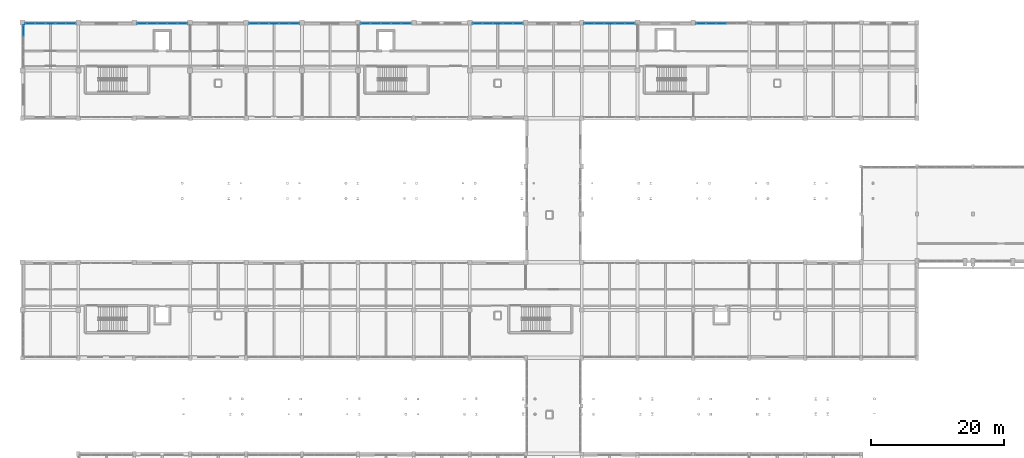
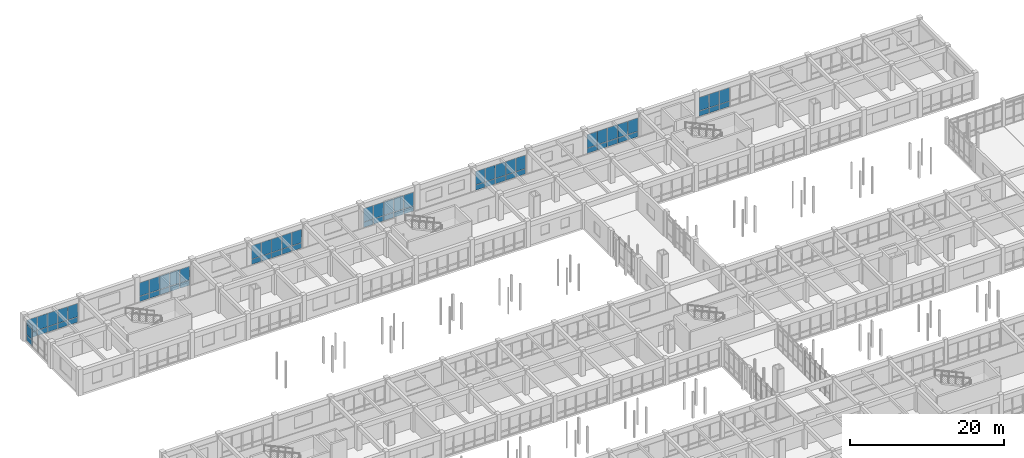
# One storey, part 122 of 147: 69 plates, 8 elements without a shape of their own.
"""IFC4 building model written with IfcOpenShell, lengths in metres."""

from ifc_helpers import new_model, si_unit, direction, frame, origin, origin_2d, place, context, subcontext, project, spatial, rectangle, extrude, material, layer, layer_set, type_object, element, aggregate, save


model = new_model("IFC4")

# Units and contexts
model_context = context("Model", 3, precision=1e-05, world=origin(), true_north=direction((0.0, 1.0)))
body_context = subcontext(model_context, "Body", "Model", "MODEL_VIEW")
ifc_project = project(units=[si_unit("LENGTHUNIT", "METRE"), si_unit("AREAUNIT", "SQUARE_METRE"), si_unit("VOLUMEUNIT", "CUBIC_METRE"), si_unit("PLANEANGLEUNIT", "RADIAN"), si_unit("MASSUNIT", "GRAM", prefix="KILO")], contexts=[model_context])

# Site, building, storey
site_placement = place(None, origin())
site = spatial("IfcSite", under=ifc_project, at=site_placement, CompositionType="ELEMENT")
building_placement = place(site_placement, origin())
building = spatial("IfcBuilding", under=site, at=building_placement, Name="Malvenik Polytechnic", CompositionType="ELEMENT")
storey_placement = place(building_placement, frame((0.0, 0.0, 5.10009765625)))
storey = spatial("IfcBuildingStorey", under=building, at=storey_placement, Name="L01", CompositionType="ELEMENT", Elevation=5.10009765625)

# Curtain wall, plates
ifc_material_1 = material(Name="Anodised aluminium 6060-T6", Category="aluminium")
curtain_wall_type_1 = type_object("IfcCurtainWallType", Name="ARC-CW-CW-05", PredefinedType="NOTDEFINED", material=ifc_material_1)
curtain_wall_1_placement = place(storey_placement, origin())
curtain_wall_1 = element("IfcCurtainWall", 1, at=curtain_wall_1_placement, inside=storey, type_object=curtain_wall_type_1, Name="Unitised Curtain Wall CW-05 L01 #44", PredefinedType="NOTDEFINED")
ifc_material_2 = material(Name="Insulated low-E double glazing 8-16-8", Category="glass")
ifc_layer_1 = layer(ifc_material_2, 0.028076171875)
ifc_layer_set_1 = layer_set([ifc_layer_1], Name="Insulated low-E double glazing 8-16-8")
plate_type_1 = type_object("IfcPlateType", Name="ARC-CWP-CP-GLZ28", PredefinedType="CURTAIN_PANEL", material=ifc_layer_set_1)
plate_1_placement = place(storey_placement, frame((0.169921875, 128.4052734375, 0.97998046875), z_axis=(0.0, 0.0, 1.0), x_axis=(0.0, 1.0, 0.0)))
plate_1 = element("IfcPlate", 2, at=plate_1_placement, type_object=plate_type_1, Name="CW-05 panel 4.2", PredefinedType="CURTAIN_PANEL", context=body_context, shape_type="SweptSolid", body=[
    extrude(rectangle(XDim=1.5234375, YDim=0.028076171875, at=origin_2d()), origin(), (0.0, 0.0, 1.0), 1.64990234375),
])
plate_2_placement = place(storey_placement, frame((0.169921875, 128.4052734375, 2.68994140625), z_axis=(0.0, 0.0, 1.0), x_axis=(0.0, 1.0, 0.0)))
plate_2 = element("IfcPlate", 3, at=plate_2_placement, type_object=plate_type_1, Name="CW-05 panel 4.3", PredefinedType="CURTAIN_PANEL", context=body_context, shape_type="SweptSolid", body=[
    extrude(rectangle(XDim=1.5234375, YDim=0.028076171875, at=origin_2d()), origin(), (0.0, 0.0, 1.0), 0.56005859375),
])

curtain_wall_type_2 = type_object("IfcCurtainWallType", Name="ARC-CW-CW-02", PredefinedType="NOTDEFINED", material=ifc_material_1)
curtain_wall_2_placement = place(storey_placement, origin())
curtain_wall_2 = element("IfcCurtainWall", 4, at=curtain_wall_2_placement, inside=storey, type_object=curtain_wall_type_2, Name="Unitised Curtain Wall CW-02 L01 #45", PredefinedType="NOTDEFINED")
plate_3_placement = place(storey_placement, frame((1.1533203125, 129.429931640625, 0.929931640625), z_axis=(0.0, 0.0, 1.0), x_axis=(1.0, 0.0, 0.0)))
plate_3 = element("IfcPlate", 5, at=plate_3_placement, type_object=plate_type_1, Name="CW-02 panel 1.2", PredefinedType="CURTAIN_PANEL", context=body_context, shape_type="SweptSolid", body=[
    extrude(rectangle(XDim=1.44091796875, YDim=0.028076171875, at=origin_2d()), origin(), (0.0, 0.0, 1.0), 2.1201171875),
])
plate_4_placement = place(storey_placement, frame((2.669189453125, 129.429931640625, 0.929931640625), z_axis=(0.0, 0.0, 1.0), x_axis=(1.0, 0.0, 0.0)))
plate_4 = element("IfcPlate", 6, at=plate_4_placement, type_object=plate_type_1, Name="CW-02 panel 2.2", PredefinedType="CURTAIN_PANEL", context=body_context, shape_type="SweptSolid", body=[
    extrude(rectangle(XDim=1.470703125, YDim=0.028076171875, at=origin_2d()), origin(), (0.0, 0.0, 1.0), 2.1201171875),
])
plate_5_placement = place(storey_placement, frame((4.199951171875, 129.429931640625, 0.929931640625), z_axis=(0.0, 0.0, 1.0), x_axis=(1.0, 0.0, 0.0)))
plate_5 = element("IfcPlate", 7, at=plate_5_placement, type_object=plate_type_1, Name="CW-02 panel 3.2", PredefinedType="CURTAIN_PANEL", context=body_context, shape_type="SweptSolid", body=[
    extrude(rectangle(XDim=1.470703125, YDim=0.028076171875, at=origin_2d()), origin(), (0.0, 0.0, 1.0), 2.1201171875),
])
plate_6_placement = place(storey_placement, frame((5.730712890625, 129.429931640625, 0.929931640625), z_axis=(0.0, 0.0, 1.0), x_axis=(1.0, 0.0, 0.0)))
plate_6 = element("IfcPlate", 8, at=plate_6_placement, type_object=plate_type_1, Name="CW-02 panel 4.2", PredefinedType="CURTAIN_PANEL", context=body_context, shape_type="SweptSolid", body=[
    extrude(rectangle(XDim=1.470703125, YDim=0.028076171875, at=origin_2d()), origin(), (0.0, 0.0, 1.0), 2.1201171875),
])
plate_7_placement = place(storey_placement, frame((7.24658203125, 129.429931640625, 0.929931640625), z_axis=(0.0, 0.0, 1.0), x_axis=(1.0, 0.0, 0.0)))
plate_7 = element("IfcPlate", 9, at=plate_7_placement, type_object=plate_type_1, Name="CW-02 panel 5.2", PredefinedType="CURTAIN_PANEL", context=body_context, shape_type="SweptSolid", body=[
    extrude(rectangle(XDim=1.44091796875, YDim=0.028076171875, at=origin_2d()), origin(), (0.0, 0.0, 1.0), 2.1201171875),
])

curtain_wall_3_placement = place(storey_placement, origin())
curtain_wall_3 = element("IfcCurtainWall", 10, at=curtain_wall_3_placement, inside=storey, type_object=curtain_wall_type_2, Name="Unitised Curtain Wall CW-02 L01 #46", PredefinedType="NOTDEFINED")
plate_8_placement = place(storey_placement, frame((17.953369140625, 129.429931640625, 0.929931640625), z_axis=(0.0, 0.0, 1.0), x_axis=(1.0, 0.0, 0.0)))
plate_8 = element("IfcPlate", 11, at=plate_8_placement, type_object=plate_type_1, Name="CW-02 panel 1.2", PredefinedType="CURTAIN_PANEL", context=body_context, shape_type="SweptSolid", body=[
    extrude(rectangle(XDim=1.44091796875, YDim=0.028076171875, at=origin_2d()), origin(), (0.0, 0.0, 1.0), 2.1201171875),
])
plate_9_placement = place(storey_placement, frame((19.46923828125, 129.429931640625, 0.929931640625), z_axis=(0.0, 0.0, 1.0), x_axis=(1.0, 0.0, 0.0)))
plate_9 = element("IfcPlate", 12, at=plate_9_placement, type_object=plate_type_1, Name="CW-02 panel 2.2", PredefinedType="CURTAIN_PANEL", context=body_context, shape_type="SweptSolid", body=[
    extrude(rectangle(XDim=1.470703125, YDim=0.028076171875, at=origin_2d()), origin(), (0.0, 0.0, 1.0), 2.1201171875),
])
plate_10_placement = place(storey_placement, frame((21.0, 129.429931640625, 0.929931640625), z_axis=(0.0, 0.0, 1.0), x_axis=(1.0, 0.0, 0.0)))
plate_10 = element("IfcPlate", 13, at=plate_10_placement, type_object=plate_type_1, Name="CW-02 panel 3.2", PredefinedType="CURTAIN_PANEL", context=body_context, shape_type="SweptSolid", body=[
    extrude(rectangle(XDim=1.470703125, YDim=0.028076171875, at=origin_2d()), origin(), (0.0, 0.0, 1.0), 2.1201171875),
])
plate_11_placement = place(storey_placement, frame((22.53076171875, 129.429931640625, 0.929931640625), z_axis=(0.0, 0.0, 1.0), x_axis=(1.0, 0.0, 0.0)))
plate_11 = element("IfcPlate", 14, at=plate_11_placement, type_object=plate_type_1, Name="CW-02 panel 4.2", PredefinedType="CURTAIN_PANEL", context=body_context, shape_type="SweptSolid", body=[
    extrude(rectangle(XDim=1.470703125, YDim=0.028076171875, at=origin_2d()), origin(), (0.0, 0.0, 1.0), 2.1201171875),
])
plate_12_placement = place(storey_placement, frame((24.046630859375, 129.429931640625, 0.929931640625), z_axis=(0.0, 0.0, 1.0), x_axis=(1.0, 0.0, 0.0)))
plate_12 = element("IfcPlate", 15, at=plate_12_placement, type_object=plate_type_1, Name="CW-02 panel 5.2", PredefinedType="CURTAIN_PANEL", context=body_context, shape_type="SweptSolid", body=[
    extrude(rectangle(XDim=1.44091796875, YDim=0.028076171875, at=origin_2d()), origin(), (0.0, 0.0, 1.0), 2.1201171875),
])

curtain_wall_4_placement = place(storey_placement, origin())
curtain_wall_4 = element("IfcCurtainWall", 16, at=curtain_wall_4_placement, inside=storey, type_object=curtain_wall_type_2, Name="Unitised Curtain Wall CW-02 L01 #47", PredefinedType="NOTDEFINED")
plate_13_placement = place(storey_placement, frame((34.75341796875, 129.429931640625, 0.929931640625), z_axis=(0.0, 0.0, 1.0), x_axis=(1.0, 0.0, 0.0)))
plate_13 = element("IfcPlate", 17, at=plate_13_placement, type_object=plate_type_1, Name="CW-02 panel 1.2", PredefinedType="CURTAIN_PANEL", context=body_context, shape_type="SweptSolid", body=[
    extrude(rectangle(XDim=1.44091796875, YDim=0.028076171875, at=origin_2d()), origin(), (0.0, 0.0, 1.0), 2.1201171875),
])
plate_14_placement = place(storey_placement, frame((36.269287109375, 129.429931640625, 0.929931640625), z_axis=(0.0, 0.0, 1.0), x_axis=(1.0, 0.0, 0.0)))
plate_14 = element("IfcPlate", 18, at=plate_14_placement, type_object=plate_type_1, Name="CW-02 panel 2.2", PredefinedType="CURTAIN_PANEL", context=body_context, shape_type="SweptSolid", body=[
    extrude(rectangle(XDim=1.470703125, YDim=0.028076171875, at=origin_2d()), origin(), (0.0, 0.0, 1.0), 2.1201171875),
])
plate_15_placement = place(storey_placement, frame((37.800048828125, 129.429931640625, 0.929931640625), z_axis=(0.0, 0.0, 1.0), x_axis=(1.0, 0.0, 0.0)))
plate_15 = element("IfcPlate", 19, at=plate_15_placement, type_object=plate_type_1, Name="CW-02 panel 3.2", PredefinedType="CURTAIN_PANEL", context=body_context, shape_type="SweptSolid", body=[
    extrude(rectangle(XDim=1.470703125, YDim=0.028076171875, at=origin_2d()), origin(), (0.0, 0.0, 1.0), 2.1201171875),
])
plate_16_placement = place(storey_placement, frame((39.330810546875, 129.429931640625, 0.929931640625), z_axis=(0.0, 0.0, 1.0), x_axis=(1.0, 0.0, 0.0)))
plate_16 = element("IfcPlate", 20, at=plate_16_placement, type_object=plate_type_1, Name="CW-02 panel 4.2", PredefinedType="CURTAIN_PANEL", context=body_context, shape_type="SweptSolid", body=[
    extrude(rectangle(XDim=1.470703125, YDim=0.028076171875, at=origin_2d()), origin(), (0.0, 0.0, 1.0), 2.1201171875),
])
plate_17_placement = place(storey_placement, frame((40.8466796875, 129.429931640625, 0.929931640625), z_axis=(0.0, 0.0, 1.0), x_axis=(1.0, 0.0, 0.0)))
plate_17 = element("IfcPlate", 21, at=plate_17_placement, type_object=plate_type_1, Name="CW-02 panel 5.2", PredefinedType="CURTAIN_PANEL", context=body_context, shape_type="SweptSolid", body=[
    extrude(rectangle(XDim=1.44091796875, YDim=0.028076171875, at=origin_2d()), origin(), (0.0, 0.0, 1.0), 2.1201171875),
])

curtain_wall_5_placement = place(storey_placement, origin())
curtain_wall_5 = element("IfcCurtainWall", 22, at=curtain_wall_5_placement, inside=storey, type_object=curtain_wall_type_2, Name="Unitised Curtain Wall CW-02 L01 #48", PredefinedType="NOTDEFINED")
plate_18_placement = place(storey_placement, frame((51.553466796875, 129.429931640625, 0.929931640625), z_axis=(0.0, 0.0, 1.0), x_axis=(1.0, 0.0, 0.0)))
plate_18 = element("IfcPlate", 23, at=plate_18_placement, type_object=plate_type_1, Name="CW-02 panel 1.2", PredefinedType="CURTAIN_PANEL", context=body_context, shape_type="SweptSolid", body=[
    extrude(rectangle(XDim=1.44091796875, YDim=0.028076171875, at=origin_2d()), origin(), (0.0, 0.0, 1.0), 2.1201171875),
])
plate_19_placement = place(storey_placement, frame((53.069091796875, 129.429931640625, 0.929931640625), z_axis=(0.0, 0.0, 1.0), x_axis=(1.0, 0.0, 0.0)))
plate_19 = element("IfcPlate", 24, at=plate_19_placement, type_object=plate_type_1, Name="CW-02 panel 2.2", PredefinedType="CURTAIN_PANEL", context=body_context, shape_type="SweptSolid", body=[
    extrude(rectangle(XDim=1.470703125, YDim=0.028076171875, at=origin_2d()), origin(), (0.0, 0.0, 1.0), 2.1201171875),
])
plate_20_placement = place(storey_placement, frame((54.60009765625, 129.429931640625, 0.929931640625), z_axis=(0.0, 0.0, 1.0), x_axis=(1.0, 0.0, 0.0)))
plate_20 = element("IfcPlate", 25, at=plate_20_placement, type_object=plate_type_1, Name="CW-02 panel 3.2", PredefinedType="CURTAIN_PANEL", context=body_context, shape_type="SweptSolid", body=[
    extrude(rectangle(XDim=1.470703125, YDim=0.028076171875, at=origin_2d()), origin(), (0.0, 0.0, 1.0), 2.1201171875),
])
plate_21_placement = place(storey_placement, frame((56.130859375, 129.429931640625, 0.929931640625), z_axis=(0.0, 0.0, 1.0), x_axis=(1.0, 0.0, 0.0)))
plate_21 = element("IfcPlate", 26, at=plate_21_placement, type_object=plate_type_1, Name="CW-02 panel 4.2", PredefinedType="CURTAIN_PANEL", context=body_context, shape_type="SweptSolid", body=[
    extrude(rectangle(XDim=1.470703125, YDim=0.028076171875, at=origin_2d()), origin(), (0.0, 0.0, 1.0), 2.1201171875),
])
plate_22_placement = place(storey_placement, frame((57.646484375, 129.429931640625, 0.929931640625), z_axis=(0.0, 0.0, 1.0), x_axis=(1.0, 0.0, 0.0)))
plate_22 = element("IfcPlate", 27, at=plate_22_placement, type_object=plate_type_1, Name="CW-02 panel 5.2", PredefinedType="CURTAIN_PANEL", context=body_context, shape_type="SweptSolid", body=[
    extrude(rectangle(XDim=1.44091796875, YDim=0.028076171875, at=origin_2d()), origin(), (0.0, 0.0, 1.0), 2.1201171875),
])

curtain_wall_6_placement = place(storey_placement, origin())
curtain_wall_6 = element("IfcCurtainWall", 28, at=curtain_wall_6_placement, inside=storey, type_object=curtain_wall_type_2, Name="Unitised Curtain Wall CW-02 L01 #49", PredefinedType="NOTDEFINED")
plate_23_placement = place(storey_placement, frame((68.353515625, 129.429931640625, 0.929931640625), z_axis=(0.0, 0.0, 1.0), x_axis=(1.0, 0.0, 0.0)))
plate_23 = element("IfcPlate", 29, at=plate_23_placement, type_object=plate_type_1, Name="CW-02 panel 1.2", PredefinedType="CURTAIN_PANEL", context=body_context, shape_type="SweptSolid", body=[
    extrude(rectangle(XDim=1.44091796875, YDim=0.028076171875, at=origin_2d()), origin(), (0.0, 0.0, 1.0), 2.1201171875),
])
plate_24_placement = place(storey_placement, frame((69.869140625, 129.429931640625, 0.929931640625), z_axis=(0.0, 0.0, 1.0), x_axis=(1.0, 0.0, 0.0)))
plate_24 = element("IfcPlate", 30, at=plate_24_placement, type_object=plate_type_1, Name="CW-02 panel 2.2", PredefinedType="CURTAIN_PANEL", context=body_context, shape_type="SweptSolid", body=[
    extrude(rectangle(XDim=1.470703125, YDim=0.028076171875, at=origin_2d()), origin(), (0.0, 0.0, 1.0), 2.1201171875),
])
plate_25_placement = place(storey_placement, frame((71.39990234375, 129.429931640625, 0.929931640625), z_axis=(0.0, 0.0, 1.0), x_axis=(1.0, 0.0, 0.0)))
plate_25 = element("IfcPlate", 31, at=plate_25_placement, type_object=plate_type_1, Name="CW-02 panel 3.2", PredefinedType="CURTAIN_PANEL", context=body_context, shape_type="SweptSolid", body=[
    extrude(rectangle(XDim=1.470703125, YDim=0.028076171875, at=origin_2d()), origin(), (0.0, 0.0, 1.0), 2.1201171875),
])
plate_26_placement = place(storey_placement, frame((72.930908203125, 129.429931640625, 0.929931640625), z_axis=(0.0, 0.0, 1.0), x_axis=(1.0, 0.0, 0.0)))
plate_26 = element("IfcPlate", 32, at=plate_26_placement, type_object=plate_type_1, Name="CW-02 panel 4.2", PredefinedType="CURTAIN_PANEL", context=body_context, shape_type="SweptSolid", body=[
    extrude(rectangle(XDim=1.470703125, YDim=0.028076171875, at=origin_2d()), origin(), (0.0, 0.0, 1.0), 2.1201171875),
])
plate_27_placement = place(storey_placement, frame((74.446533203125, 129.429931640625, 0.929931640625), z_axis=(0.0, 0.0, 1.0), x_axis=(1.0, 0.0, 0.0)))
plate_27 = element("IfcPlate", 33, at=plate_27_placement, type_object=plate_type_1, Name="CW-02 panel 5.2", PredefinedType="CURTAIN_PANEL", context=body_context, shape_type="SweptSolid", body=[
    extrude(rectangle(XDim=1.44091796875, YDim=0.028076171875, at=origin_2d()), origin(), (0.0, 0.0, 1.0), 2.1201171875),
])

curtain_wall_7_placement = place(storey_placement, origin())
curtain_wall_7 = element("IfcCurtainWall", 34, at=curtain_wall_7_placement, inside=storey, type_object=curtain_wall_type_2, Name="Unitised Curtain Wall CW-02 L01 #50", PredefinedType="NOTDEFINED")
plate_28_placement = place(storey_placement, frame((85.13330078125, 129.429931640625, 0.929931640625), z_axis=(0.0, 0.0, 1.0), x_axis=(1.0, 0.0, 0.0)))
plate_28 = element("IfcPlate", 35, at=plate_28_placement, type_object=plate_type_1, Name="CW-02 panel 1.2", PredefinedType="CURTAIN_PANEL", context=body_context, shape_type="SweptSolid", body=[
    extrude(rectangle(XDim=1.45068359375, YDim=0.028076171875, at=origin_2d()), origin(), (0.0, 0.0, 1.0), 2.1201171875),
])
plate_29_placement = place(storey_placement, frame((86.6591796875, 129.429931640625, 0.929931640625), z_axis=(0.0, 0.0, 1.0), x_axis=(1.0, 0.0, 0.0)))
plate_29 = element("IfcPlate", 36, at=plate_29_placement, type_object=plate_type_1, Name="CW-02 panel 2.2", PredefinedType="CURTAIN_PANEL", context=body_context, shape_type="SweptSolid", body=[
    extrude(rectangle(XDim=1.480712890625, YDim=0.028076171875, at=origin_2d()), origin(), (0.0, 0.0, 1.0), 2.1201171875),
])
plate_30_placement = place(storey_placement, frame((88.199951171875, 129.429931640625, 0.929931640625), z_axis=(0.0, 0.0, 1.0), x_axis=(1.0, 0.0, 0.0)))
plate_30 = element("IfcPlate", 37, at=plate_30_placement, type_object=plate_type_1, Name="CW-02 panel 3.2", PredefinedType="CURTAIN_PANEL", context=body_context, shape_type="SweptSolid", body=[
    extrude(rectangle(XDim=1.480712890625, YDim=0.028076171875, at=origin_2d()), origin(), (0.0, 0.0, 1.0), 2.1201171875),
])
plate_31_placement = place(storey_placement, frame((89.74072265625, 129.429931640625, 0.929931640625), z_axis=(0.0, 0.0, 1.0), x_axis=(1.0, 0.0, 0.0)))
plate_31 = element("IfcPlate", 38, at=plate_31_placement, type_object=plate_type_1, Name="CW-02 panel 4.2", PredefinedType="CURTAIN_PANEL", context=body_context, shape_type="SweptSolid", body=[
    extrude(rectangle(XDim=1.480712890625, YDim=0.028076171875, at=origin_2d()), origin(), (0.0, 0.0, 1.0), 2.1201171875),
])
plate_32_placement = place(storey_placement, frame((91.2666015625, 129.429931640625, 0.929931640625), z_axis=(0.0, 0.0, 1.0), x_axis=(1.0, 0.0, 0.0)))
plate_32 = element("IfcPlate", 39, at=plate_32_placement, type_object=plate_type_1, Name="CW-02 panel 5.2", PredefinedType="CURTAIN_PANEL", context=body_context, shape_type="SweptSolid", body=[
    extrude(rectangle(XDim=1.45068359375, YDim=0.028076171875, at=origin_2d()), origin(), (0.0, 0.0, 1.0), 2.1201171875),
])

curtain_wall_8_placement = place(storey_placement, origin())
curtain_wall_8 = element("IfcCurtainWall", 40, at=curtain_wall_8_placement, inside=storey, type_object=curtain_wall_type_2, Name="Unitised Curtain Wall CW-02 L01 #51", PredefinedType="NOTDEFINED")
plate_33_placement = place(storey_placement, frame((101.935791015625, 129.429931640625, 0.929931640625), z_axis=(0.0, 0.0, 1.0), x_axis=(1.0, 0.0, 0.0)))
plate_33 = element("IfcPlate", 41, at=plate_33_placement, type_object=plate_type_1, Name="CW-02 panel 1.2", PredefinedType="CURTAIN_PANEL", context=body_context, shape_type="SweptSolid", body=[
    extrude(rectangle(XDim=1.455810546875, YDim=0.028076171875, at=origin_2d()), origin(), (0.0, 0.0, 1.0), 2.1201171875),
])
plate_34_placement = place(storey_placement, frame((103.466796875, 129.429931640625, 0.929931640625), z_axis=(0.0, 0.0, 1.0), x_axis=(1.0, 0.0, 0.0)))
plate_34 = element("IfcPlate", 42, at=plate_34_placement, type_object=plate_type_1, Name="CW-02 panel 2.2", PredefinedType="CURTAIN_PANEL", context=body_context, shape_type="SweptSolid", body=[
    extrude(rectangle(XDim=1.48583984375, YDim=0.028076171875, at=origin_2d()), origin(), (0.0, 0.0, 1.0), 2.1201171875),
])
plate_35_placement = place(storey_placement, frame((105.012451171875, 129.429931640625, 0.929931640625), z_axis=(0.0, 0.0, 1.0), x_axis=(1.0, 0.0, 0.0)))
plate_35 = element("IfcPlate", 43, at=plate_35_placement, type_object=plate_type_1, Name="CW-02 panel 3.2", PredefinedType="CURTAIN_PANEL", context=body_context, shape_type="SweptSolid", body=[
    extrude(rectangle(XDim=1.48583984375, YDim=0.028076171875, at=origin_2d()), origin(), (0.0, 0.0, 1.0), 2.1201171875),
])

# Plate
ifc_material_3 = material(Name="Insulated aluminium spandrel cassette 42mm", Category="aluminium")
ifc_layer_2 = layer(ifc_material_3, 0.0419921875)
ifc_layer_set_2 = layer_set([ifc_layer_2], Name="Insulated aluminium spandrel cassette 42mm")
plate_type_2 = type_object("IfcPlateType", Name="ARC-CWP-CP-SPN42", PredefinedType="CURTAIN_PANEL", material=ifc_layer_set_2)
plate_36_placement = place(storey_placement, frame((0.169921875, 128.4052734375, 0.06005859375), z_axis=(0.0, 0.0, 1.0), x_axis=(0.0, 1.0, 0.0)))
plate_36 = element("IfcPlate", 44, at=plate_36_placement, type_object=plate_type_2, Name="CW-05 panel 4.1", PredefinedType="CURTAIN_PANEL", context=body_context, shape_type="SweptSolid", body=[
    extrude(rectangle(XDim=1.5234375, YDim=0.028076171875, at=origin_2d()), origin(), (0.0, 0.0, 1.0), 0.860107421875),
])

aggregate(curtain_wall_1, [plate_36, plate_1, plate_2])

plate_37_placement = place(storey_placement, frame((1.1533203125, 129.429931640625, 0.059814453125), z_axis=(0.0, 0.0, 1.0), x_axis=(1.0, 0.0, 0.0)))
plate_37 = element("IfcPlate", 45, at=plate_37_placement, type_object=plate_type_2, Name="CW-02 panel 1.1", PredefinedType="CURTAIN_PANEL", context=body_context, shape_type="SweptSolid", body=[
    extrude(rectangle(XDim=1.44091796875, YDim=0.028076171875, at=origin_2d()), origin(), (0.0, 0.0, 1.0), 0.81005859375),
])

plate_38_placement = place(storey_placement, frame((2.669189453125, 129.429931640625, 0.059814453125), z_axis=(0.0, 0.0, 1.0), x_axis=(1.0, 0.0, 0.0)))
plate_38 = element("IfcPlate", 46, at=plate_38_placement, type_object=plate_type_2, Name="CW-02 panel 2.1", PredefinedType="CURTAIN_PANEL", context=body_context, shape_type="SweptSolid", body=[
    extrude(rectangle(XDim=1.470703125, YDim=0.028076171875, at=origin_2d()), origin(), (0.0, 0.0, 1.0), 0.81005859375),
])

plate_39_placement = place(storey_placement, frame((4.199951171875, 129.429931640625, 0.059814453125), z_axis=(0.0, 0.0, 1.0), x_axis=(1.0, 0.0, 0.0)))
plate_39 = element("IfcPlate", 47, at=plate_39_placement, type_object=plate_type_2, Name="CW-02 panel 3.1", PredefinedType="CURTAIN_PANEL", context=body_context, shape_type="SweptSolid", body=[
    extrude(rectangle(XDim=1.470703125, YDim=0.028076171875, at=origin_2d()), origin(), (0.0, 0.0, 1.0), 0.81005859375),
])

plate_40_placement = place(storey_placement, frame((5.730712890625, 129.429931640625, 0.059814453125), z_axis=(0.0, 0.0, 1.0), x_axis=(1.0, 0.0, 0.0)))
plate_40 = element("IfcPlate", 48, at=plate_40_placement, type_object=plate_type_2, Name="CW-02 panel 4.1", PredefinedType="CURTAIN_PANEL", context=body_context, shape_type="SweptSolid", body=[
    extrude(rectangle(XDim=1.470703125, YDim=0.028076171875, at=origin_2d()), origin(), (0.0, 0.0, 1.0), 0.81005859375),
])

plate_41_placement = place(storey_placement, frame((7.24658203125, 129.429931640625, 0.059814453125), z_axis=(0.0, 0.0, 1.0), x_axis=(1.0, 0.0, 0.0)))
plate_41 = element("IfcPlate", 49, at=plate_41_placement, type_object=plate_type_2, Name="CW-02 panel 5.1", PredefinedType="CURTAIN_PANEL", context=body_context, shape_type="SweptSolid", body=[
    extrude(rectangle(XDim=1.44091796875, YDim=0.028076171875, at=origin_2d()), origin(), (0.0, 0.0, 1.0), 0.81005859375),
])

aggregate(curtain_wall_2, [plate_37, plate_3, plate_38, plate_4, plate_39, plate_5, plate_40, plate_6, plate_41, plate_7])

plate_42_placement = place(storey_placement, frame((17.953369140625, 129.429931640625, 0.059814453125), z_axis=(0.0, 0.0, 1.0), x_axis=(1.0, 0.0, 0.0)))
plate_42 = element("IfcPlate", 50, at=plate_42_placement, type_object=plate_type_2, Name="CW-02 panel 1.1", PredefinedType="CURTAIN_PANEL", context=body_context, shape_type="SweptSolid", body=[
    extrude(rectangle(XDim=1.44091796875, YDim=0.028076171875, at=origin_2d()), origin(), (0.0, 0.0, 1.0), 0.81005859375),
])

plate_43_placement = place(storey_placement, frame((19.46923828125, 129.429931640625, 0.059814453125), z_axis=(0.0, 0.0, 1.0), x_axis=(1.0, 0.0, 0.0)))
plate_43 = element("IfcPlate", 51, at=plate_43_placement, type_object=plate_type_2, Name="CW-02 panel 2.1", PredefinedType="CURTAIN_PANEL", context=body_context, shape_type="SweptSolid", body=[
    extrude(rectangle(XDim=1.470703125, YDim=0.028076171875, at=origin_2d()), origin(), (0.0, 0.0, 1.0), 0.81005859375),
])

plate_44_placement = place(storey_placement, frame((21.0, 129.429931640625, 0.059814453125), z_axis=(0.0, 0.0, 1.0), x_axis=(1.0, 0.0, 0.0)))
plate_44 = element("IfcPlate", 52, at=plate_44_placement, type_object=plate_type_2, Name="CW-02 panel 3.1", PredefinedType="CURTAIN_PANEL", context=body_context, shape_type="SweptSolid", body=[
    extrude(rectangle(XDim=1.470703125, YDim=0.028076171875, at=origin_2d()), origin(), (0.0, 0.0, 1.0), 0.81005859375),
])

plate_45_placement = place(storey_placement, frame((22.53076171875, 129.429931640625, 0.059814453125), z_axis=(0.0, 0.0, 1.0), x_axis=(1.0, 0.0, 0.0)))
plate_45 = element("IfcPlate", 53, at=plate_45_placement, type_object=plate_type_2, Name="CW-02 panel 4.1", PredefinedType="CURTAIN_PANEL", context=body_context, shape_type="SweptSolid", body=[
    extrude(rectangle(XDim=1.470703125, YDim=0.028076171875, at=origin_2d()), origin(), (0.0, 0.0, 1.0), 0.81005859375),
])

plate_46_placement = place(storey_placement, frame((24.046630859375, 129.429931640625, 0.059814453125), z_axis=(0.0, 0.0, 1.0), x_axis=(1.0, 0.0, 0.0)))
plate_46 = element("IfcPlate", 54, at=plate_46_placement, type_object=plate_type_2, Name="CW-02 panel 5.1", PredefinedType="CURTAIN_PANEL", context=body_context, shape_type="SweptSolid", body=[
    extrude(rectangle(XDim=1.44091796875, YDim=0.028076171875, at=origin_2d()), origin(), (0.0, 0.0, 1.0), 0.81005859375),
])

aggregate(curtain_wall_3, [plate_42, plate_8, plate_43, plate_9, plate_44, plate_10, plate_45, plate_11, plate_46, plate_12])

plate_47_placement = place(storey_placement, frame((34.75341796875, 129.429931640625, 0.059814453125), z_axis=(0.0, 0.0, 1.0), x_axis=(1.0, 0.0, 0.0)))
plate_47 = element("IfcPlate", 55, at=plate_47_placement, type_object=plate_type_2, Name="CW-02 panel 1.1", PredefinedType="CURTAIN_PANEL", context=body_context, shape_type="SweptSolid", body=[
    extrude(rectangle(XDim=1.44091796875, YDim=0.028076171875, at=origin_2d()), origin(), (0.0, 0.0, 1.0), 0.81005859375),
])

plate_48_placement = place(storey_placement, frame((36.269287109375, 129.429931640625, 0.059814453125), z_axis=(0.0, 0.0, 1.0), x_axis=(1.0, 0.0, 0.0)))
plate_48 = element("IfcPlate", 56, at=plate_48_placement, type_object=plate_type_2, Name="CW-02 panel 2.1", PredefinedType="CURTAIN_PANEL", context=body_context, shape_type="SweptSolid", body=[
    extrude(rectangle(XDim=1.470703125, YDim=0.028076171875, at=origin_2d()), origin(), (0.0, 0.0, 1.0), 0.81005859375),
])

plate_49_placement = place(storey_placement, frame((37.800048828125, 129.429931640625, 0.059814453125), z_axis=(0.0, 0.0, 1.0), x_axis=(1.0, 0.0, 0.0)))
plate_49 = element("IfcPlate", 57, at=plate_49_placement, type_object=plate_type_2, Name="CW-02 panel 3.1", PredefinedType="CURTAIN_PANEL", context=body_context, shape_type="SweptSolid", body=[
    extrude(rectangle(XDim=1.470703125, YDim=0.028076171875, at=origin_2d()), origin(), (0.0, 0.0, 1.0), 0.81005859375),
])

plate_50_placement = place(storey_placement, frame((39.330810546875, 129.429931640625, 0.059814453125), z_axis=(0.0, 0.0, 1.0), x_axis=(1.0, 0.0, 0.0)))
plate_50 = element("IfcPlate", 58, at=plate_50_placement, type_object=plate_type_2, Name="CW-02 panel 4.1", PredefinedType="CURTAIN_PANEL", context=body_context, shape_type="SweptSolid", body=[
    extrude(rectangle(XDim=1.470703125, YDim=0.028076171875, at=origin_2d()), origin(), (0.0, 0.0, 1.0), 0.81005859375),
])

plate_51_placement = place(storey_placement, frame((40.8466796875, 129.429931640625, 0.059814453125), z_axis=(0.0, 0.0, 1.0), x_axis=(1.0, 0.0, 0.0)))
plate_51 = element("IfcPlate", 59, at=plate_51_placement, type_object=plate_type_2, Name="CW-02 panel 5.1", PredefinedType="CURTAIN_PANEL", context=body_context, shape_type="SweptSolid", body=[
    extrude(rectangle(XDim=1.44091796875, YDim=0.028076171875, at=origin_2d()), origin(), (0.0, 0.0, 1.0), 0.81005859375),
])

aggregate(curtain_wall_4, [plate_47, plate_13, plate_48, plate_14, plate_49, plate_15, plate_50, plate_16, plate_51, plate_17])

plate_52_placement = place(storey_placement, frame((51.553466796875, 129.429931640625, 0.059814453125), z_axis=(0.0, 0.0, 1.0), x_axis=(1.0, 0.0, 0.0)))
plate_52 = element("IfcPlate", 60, at=plate_52_placement, type_object=plate_type_2, Name="CW-02 panel 1.1", PredefinedType="CURTAIN_PANEL", context=body_context, shape_type="SweptSolid", body=[
    extrude(rectangle(XDim=1.44091796875, YDim=0.028076171875, at=origin_2d()), origin(), (0.0, 0.0, 1.0), 0.81005859375),
])

plate_53_placement = place(storey_placement, frame((53.069091796875, 129.429931640625, 0.059814453125), z_axis=(0.0, 0.0, 1.0), x_axis=(1.0, 0.0, 0.0)))
plate_53 = element("IfcPlate", 61, at=plate_53_placement, type_object=plate_type_2, Name="CW-02 panel 2.1", PredefinedType="CURTAIN_PANEL", context=body_context, shape_type="SweptSolid", body=[
    extrude(rectangle(XDim=1.470703125, YDim=0.028076171875, at=origin_2d()), origin(), (0.0, 0.0, 1.0), 0.81005859375),
])

plate_54_placement = place(storey_placement, frame((54.60009765625, 129.429931640625, 0.059814453125), z_axis=(0.0, 0.0, 1.0), x_axis=(1.0, 0.0, 0.0)))
plate_54 = element("IfcPlate", 62, at=plate_54_placement, type_object=plate_type_2, Name="CW-02 panel 3.1", PredefinedType="CURTAIN_PANEL", context=body_context, shape_type="SweptSolid", body=[
    extrude(rectangle(XDim=1.470703125, YDim=0.028076171875, at=origin_2d()), origin(), (0.0, 0.0, 1.0), 0.81005859375),
])

plate_55_placement = place(storey_placement, frame((56.130859375, 129.429931640625, 0.059814453125), z_axis=(0.0, 0.0, 1.0), x_axis=(1.0, 0.0, 0.0)))
plate_55 = element("IfcPlate", 63, at=plate_55_placement, type_object=plate_type_2, Name="CW-02 panel 4.1", PredefinedType="CURTAIN_PANEL", context=body_context, shape_type="SweptSolid", body=[
    extrude(rectangle(XDim=1.470703125, YDim=0.028076171875, at=origin_2d()), origin(), (0.0, 0.0, 1.0), 0.81005859375),
])

plate_56_placement = place(storey_placement, frame((57.646484375, 129.429931640625, 0.059814453125), z_axis=(0.0, 0.0, 1.0), x_axis=(1.0, 0.0, 0.0)))
plate_56 = element("IfcPlate", 64, at=plate_56_placement, type_object=plate_type_2, Name="CW-02 panel 5.1", PredefinedType="CURTAIN_PANEL", context=body_context, shape_type="SweptSolid", body=[
    extrude(rectangle(XDim=1.44091796875, YDim=0.028076171875, at=origin_2d()), origin(), (0.0, 0.0, 1.0), 0.81005859375),
])

aggregate(curtain_wall_5, [plate_52, plate_18, plate_53, plate_19, plate_54, plate_20, plate_55, plate_21, plate_56, plate_22])

plate_57_placement = place(storey_placement, frame((68.353515625, 129.429931640625, 0.059814453125), z_axis=(0.0, 0.0, 1.0), x_axis=(1.0, 0.0, 0.0)))
plate_57 = element("IfcPlate", 65, at=plate_57_placement, type_object=plate_type_2, Name="CW-02 panel 1.1", PredefinedType="CURTAIN_PANEL", context=body_context, shape_type="SweptSolid", body=[
    extrude(rectangle(XDim=1.44091796875, YDim=0.028076171875, at=origin_2d()), origin(), (0.0, 0.0, 1.0), 0.81005859375),
])

plate_58_placement = place(storey_placement, frame((69.869140625, 129.429931640625, 0.059814453125), z_axis=(0.0, 0.0, 1.0), x_axis=(1.0, 0.0, 0.0)))
plate_58 = element("IfcPlate", 66, at=plate_58_placement, type_object=plate_type_2, Name="CW-02 panel 2.1", PredefinedType="CURTAIN_PANEL", context=body_context, shape_type="SweptSolid", body=[
    extrude(rectangle(XDim=1.470703125, YDim=0.028076171875, at=origin_2d()), origin(), (0.0, 0.0, 1.0), 0.81005859375),
])

plate_59_placement = place(storey_placement, frame((71.39990234375, 129.429931640625, 0.059814453125), z_axis=(0.0, 0.0, 1.0), x_axis=(1.0, 0.0, 0.0)))
plate_59 = element("IfcPlate", 67, at=plate_59_placement, type_object=plate_type_2, Name="CW-02 panel 3.1", PredefinedType="CURTAIN_PANEL", context=body_context, shape_type="SweptSolid", body=[
    extrude(rectangle(XDim=1.470703125, YDim=0.028076171875, at=origin_2d()), origin(), (0.0, 0.0, 1.0), 0.81005859375),
])

plate_60_placement = place(storey_placement, frame((72.930908203125, 129.429931640625, 0.059814453125), z_axis=(0.0, 0.0, 1.0), x_axis=(1.0, 0.0, 0.0)))
plate_60 = element("IfcPlate", 68, at=plate_60_placement, type_object=plate_type_2, Name="CW-02 panel 4.1", PredefinedType="CURTAIN_PANEL", context=body_context, shape_type="SweptSolid", body=[
    extrude(rectangle(XDim=1.470703125, YDim=0.028076171875, at=origin_2d()), origin(), (0.0, 0.0, 1.0), 0.81005859375),
])

plate_61_placement = place(storey_placement, frame((74.446533203125, 129.429931640625, 0.059814453125), z_axis=(0.0, 0.0, 1.0), x_axis=(1.0, 0.0, 0.0)))
plate_61 = element("IfcPlate", 69, at=plate_61_placement, type_object=plate_type_2, Name="CW-02 panel 5.1", PredefinedType="CURTAIN_PANEL", context=body_context, shape_type="SweptSolid", body=[
    extrude(rectangle(XDim=1.44091796875, YDim=0.028076171875, at=origin_2d()), origin(), (0.0, 0.0, 1.0), 0.81005859375),
])

aggregate(curtain_wall_6, [plate_57, plate_23, plate_58, plate_24, plate_59, plate_25, plate_60, plate_26, plate_61, plate_27])

plate_62_placement = place(storey_placement, frame((85.13330078125, 129.429931640625, 0.059814453125), z_axis=(0.0, 0.0, 1.0), x_axis=(1.0, 0.0, 0.0)))
plate_62 = element("IfcPlate", 70, at=plate_62_placement, type_object=plate_type_2, Name="CW-02 panel 1.1", PredefinedType="CURTAIN_PANEL", context=body_context, shape_type="SweptSolid", body=[
    extrude(rectangle(XDim=1.45068359375, YDim=0.028076171875, at=origin_2d()), origin(), (0.0, 0.0, 1.0), 0.81005859375),
])

plate_63_placement = place(storey_placement, frame((86.6591796875, 129.429931640625, 0.059814453125), z_axis=(0.0, 0.0, 1.0), x_axis=(1.0, 0.0, 0.0)))
plate_63 = element("IfcPlate", 71, at=plate_63_placement, type_object=plate_type_2, Name="CW-02 panel 2.1", PredefinedType="CURTAIN_PANEL", context=body_context, shape_type="SweptSolid", body=[
    extrude(rectangle(XDim=1.480712890625, YDim=0.028076171875, at=origin_2d()), origin(), (0.0, 0.0, 1.0), 0.81005859375),
])

plate_64_placement = place(storey_placement, frame((88.199951171875, 129.429931640625, 0.059814453125), z_axis=(0.0, 0.0, 1.0), x_axis=(1.0, 0.0, 0.0)))
plate_64 = element("IfcPlate", 72, at=plate_64_placement, type_object=plate_type_2, Name="CW-02 panel 3.1", PredefinedType="CURTAIN_PANEL", context=body_context, shape_type="SweptSolid", body=[
    extrude(rectangle(XDim=1.480712890625, YDim=0.028076171875, at=origin_2d()), origin(), (0.0, 0.0, 1.0), 0.81005859375),
])

plate_65_placement = place(storey_placement, frame((89.74072265625, 129.429931640625, 0.059814453125), z_axis=(0.0, 0.0, 1.0), x_axis=(1.0, 0.0, 0.0)))
plate_65 = element("IfcPlate", 73, at=plate_65_placement, type_object=plate_type_2, Name="CW-02 panel 4.1", PredefinedType="CURTAIN_PANEL", context=body_context, shape_type="SweptSolid", body=[
    extrude(rectangle(XDim=1.480712890625, YDim=0.028076171875, at=origin_2d()), origin(), (0.0, 0.0, 1.0), 0.81005859375),
])

plate_66_placement = place(storey_placement, frame((91.2666015625, 129.429931640625, 0.059814453125), z_axis=(0.0, 0.0, 1.0), x_axis=(1.0, 0.0, 0.0)))
plate_66 = element("IfcPlate", 74, at=plate_66_placement, type_object=plate_type_2, Name="CW-02 panel 5.1", PredefinedType="CURTAIN_PANEL", context=body_context, shape_type="SweptSolid", body=[
    extrude(rectangle(XDim=1.45068359375, YDim=0.028076171875, at=origin_2d()), origin(), (0.0, 0.0, 1.0), 0.81005859375),
])

aggregate(curtain_wall_7, [plate_62, plate_28, plate_63, plate_29, plate_64, plate_30, plate_65, plate_31, plate_66, plate_32])

plate_67_placement = place(storey_placement, frame((101.935791015625, 129.429931640625, 0.059814453125), z_axis=(0.0, 0.0, 1.0), x_axis=(1.0, 0.0, 0.0)))
plate_67 = element("IfcPlate", 75, at=plate_67_placement, type_object=plate_type_2, Name="CW-02 panel 1.1", PredefinedType="CURTAIN_PANEL", context=body_context, shape_type="SweptSolid", body=[
    extrude(rectangle(XDim=1.455810546875, YDim=0.028076171875, at=origin_2d()), origin(), (0.0, 0.0, 1.0), 0.81005859375),
])

plate_68_placement = place(storey_placement, frame((103.466796875, 129.429931640625, 0.059814453125), z_axis=(0.0, 0.0, 1.0), x_axis=(1.0, 0.0, 0.0)))
plate_68 = element("IfcPlate", 76, at=plate_68_placement, type_object=plate_type_2, Name="CW-02 panel 2.1", PredefinedType="CURTAIN_PANEL", context=body_context, shape_type="SweptSolid", body=[
    extrude(rectangle(XDim=1.48583984375, YDim=0.028076171875, at=origin_2d()), origin(), (0.0, 0.0, 1.0), 0.81005859375),
])

plate_69_placement = place(storey_placement, frame((105.012451171875, 129.429931640625, 0.059814453125), z_axis=(0.0, 0.0, 1.0), x_axis=(1.0, 0.0, 0.0)))
plate_69 = element("IfcPlate", 77, at=plate_69_placement, type_object=plate_type_2, Name="CW-02 panel 3.1", PredefinedType="CURTAIN_PANEL", context=body_context, shape_type="SweptSolid", body=[
    extrude(rectangle(XDim=1.48583984375, YDim=0.028076171875, at=origin_2d()), origin(), (0.0, 0.0, 1.0), 0.81005859375),
])

aggregate(curtain_wall_8, [plate_67, plate_33, plate_68, plate_34, plate_69, plate_35])

save(model, "model.ifc")
